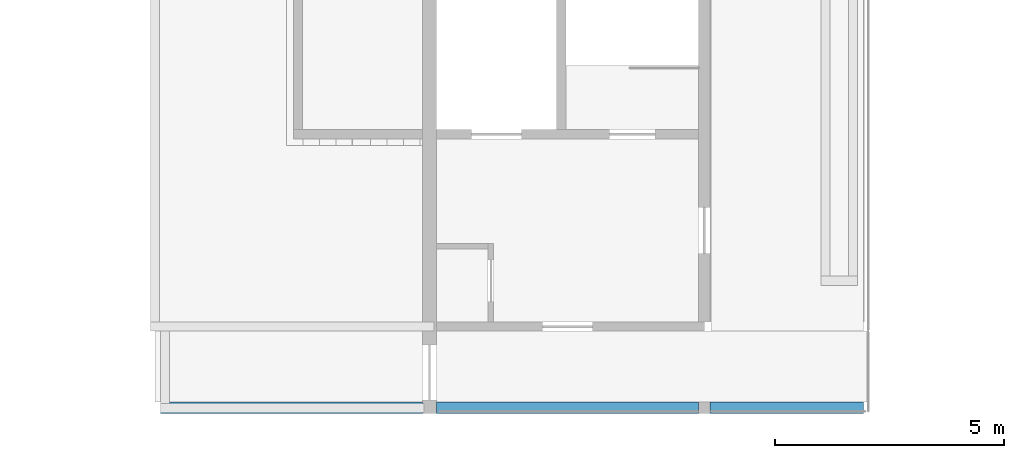
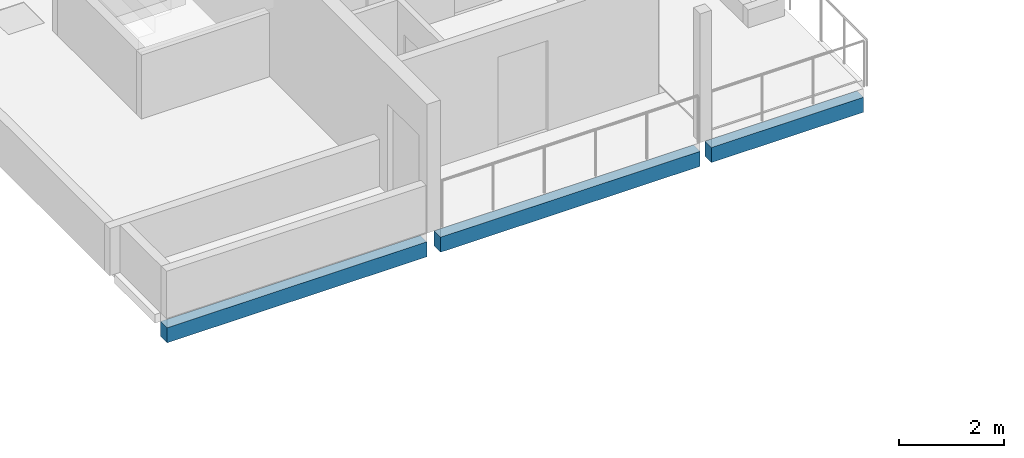
# One storey, part 11 of 33: 3 beams.
"""IFC4 building model written with IfcOpenShell, lengths in metres."""

from ifc_helpers import new_model, si_unit, direction, frame, origin, origin_2d, place, context, subcontext, project, spatial, rectangle, extrude, material, material_profile, profile_set, type_object, element, save


model = new_model("IFC4")

# Units and contexts
model_context = context("Model", 3, precision=1e-05, world=origin(), true_north=direction((0.0, 1.0)))
body_context = subcontext(model_context, "Body", "Model", "MODEL_VIEW")
ifc_project = project(units=[si_unit("LENGTHUNIT", "METRE"), si_unit("AREAUNIT", "SQUARE_METRE"), si_unit("VOLUMEUNIT", "CUBIC_METRE"), si_unit("PLANEANGLEUNIT", "RADIAN"), si_unit("MASSUNIT", "GRAM", prefix="KILO")], contexts=[model_context])

# Site, building, storey
site_placement = place(None, origin())
site = spatial("IfcSite", under=ifc_project, at=site_placement, CompositionType="ELEMENT")
building_placement = place(site_placement, origin())
building = spatial("IfcBuilding", under=site, at=building_placement, Name="Ridgestep Commons", CompositionType="ELEMENT")
storey_placement = place(building_placement, frame((0.0, 0.0, 42.0)))
storey = spatial("IfcBuildingStorey", under=building, at=storey_placement, Name="L14", CompositionType="ELEMENT", Elevation=42.0)

# Beams
ifc_material = material(Name="Precast concrete C40/50", Category="concrete")
ifc_material_profile = material_profile(ifc_material, rectangle(XDim=0.25, YDim=0.35009765625, at=origin_2d()), Name="PC 250x350")
ifc_profile_set = profile_set([ifc_material_profile], Name="Precast concrete C40/50")
beam_type = type_object("IfcBeamType", Name="Loggia edge beam 250 x 350", PredefinedType="SPANDREL", material=ifc_profile_set)
for number, where, z_axis, x_axis, name in (
    (1, (208.125, 11.875, -0.375), (1.0, 0.0, 0.0), (0.0, 1.0, 0.0), "Loggia edge beam D4C L14"),
    (2, (214.14990234375, 11.875, -0.375), (1.0, 0.0, 0.0), (0.0, 1.0, 0.0), "Loggia edge beam D5C L14"),
):
    element("IfcBeam", number, at=place(storey_placement, frame(where, z_axis=z_axis, x_axis=x_axis)), inside=storey, type_object=beam_type, Name=name, PredefinedType="SPANDREL", context=body_context, shape_type="SweptSolid", body=[
        extrude(rectangle(XDim=0.25, YDim=0.35009765625, at=origin_2d()), origin(), (0.0, 0.0, 1.0), 5.72509765625),
    ])
beam_placement = place(storey_placement, frame((220.125, 11.875, -0.375), z_axis=(1.0, 0.0, 0.0), x_axis=(0.0, 1.0, 0.0)))
element("IfcBeam", 3, at=beam_placement, inside=storey, type_object=beam_type, Name="Loggia edge beam D5T3 L14", PredefinedType="SPANDREL", context=body_context, shape_type="SweptSolid", body=[
    extrude(rectangle(XDim=0.25, YDim=0.35009765625, at=origin_2d()), origin(), (0.0, 0.0, 1.0), 3.35009765625),
])

save(model, "model.ifc")
